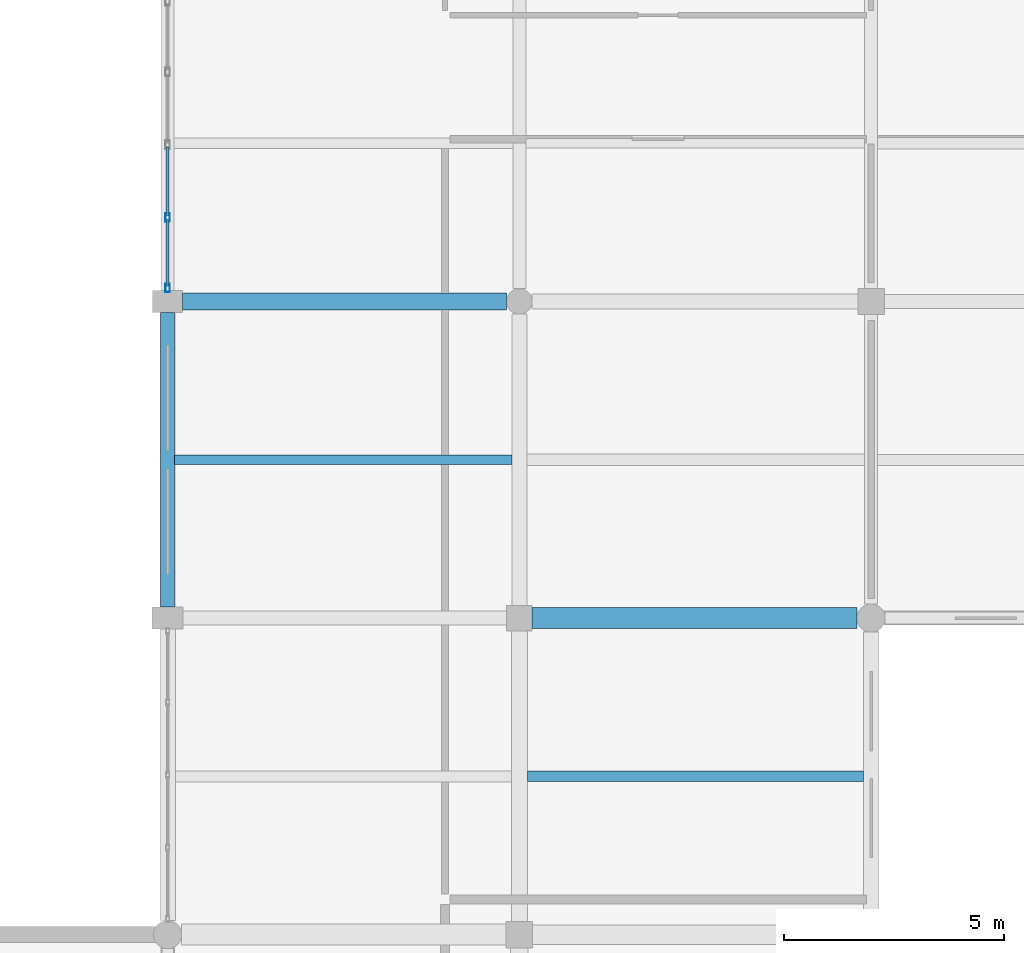
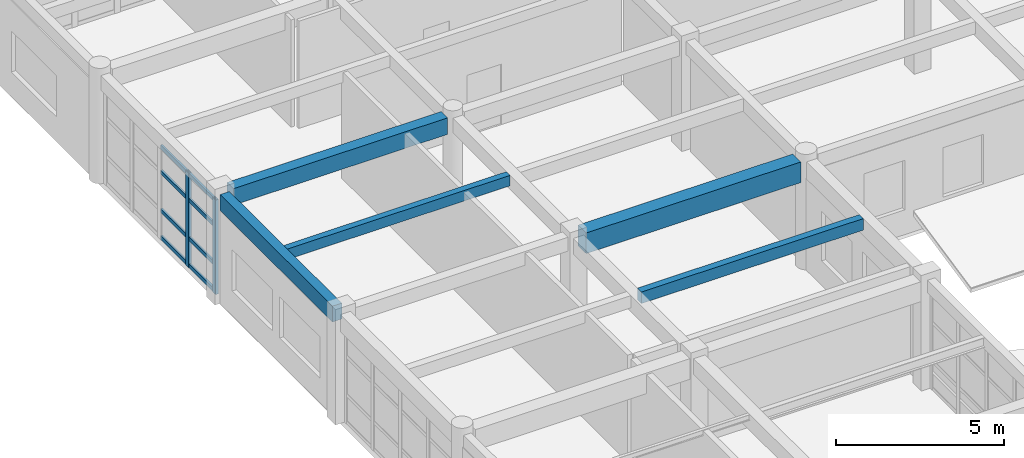
# One storey, part 55 of 121: 10 members, 5 beams, 1 element without a shape of its own.
"""IFC4 building model written with IfcOpenShell, lengths in metres."""

from ifc_helpers import new_model, si_unit, direction, frame, origin, origin_2d, place, context, subcontext, project, spatial, rectangle, hollow_rectangle, extrude, material, material_profile, profile_set, type_object, element, aggregate, save


model = new_model("IFC4")

# Units and contexts
model_context = context("Model", 3, precision=1e-05, world=origin(), true_north=direction((0.0, 1.0)))
body_context = subcontext(model_context, "Body", "Model", "MODEL_VIEW")
ifc_project = project(units=[si_unit("LENGTHUNIT", "METRE"), si_unit("AREAUNIT", "SQUARE_METRE"), si_unit("VOLUMEUNIT", "CUBIC_METRE"), si_unit("PLANEANGLEUNIT", "RADIAN"), si_unit("MASSUNIT", "GRAM", prefix="KILO")], contexts=[model_context])

# Site, building, storey
site_placement = place(None, origin())
site = spatial("IfcSite", under=ifc_project, at=site_placement, CompositionType="ELEMENT")
building_placement = place(site_placement, origin())
building = spatial("IfcBuilding", under=site, at=building_placement, Name="Kharva Crest Polytechnic", CompositionType="ELEMENT")
storey_placement = place(building_placement, frame((0.0, 0.0, 13.199951171875)))
storey = spatial("IfcBuildingStorey", under=building, at=storey_placement, Name="L03", CompositionType="ELEMENT", Elevation=13.199951171875)

# Beams
ifc_material_1 = material(Name="Concrete C35/45", Category="concrete")
ifc_material_profile_1 = material_profile(ifc_material_1, rectangle(XDim=0.3798828125, YDim=0.60009765625, at=origin_2d()), Name="RECT 380 X 600")
ifc_profile_set_1 = profile_set([ifc_material_profile_1], Name="Concrete C35/45")
beam_type_1 = type_object("IfcBeamType", Name="BM-RC-380X600", PredefinedType="BEAM", material=ifc_profile_set_1)
beam_1_placement = place(storey_placement, frame((32.340087890625, 107.60009765625, 3.66015625), z_axis=(1.0, 0.0, 0.0), x_axis=(0.0, 1.0, 0.0)))
element("IfcBeam", 1, at=beam_1_placement, inside=storey, type_object=beam_type_1, Name="L03 Beam Q/5-6", PredefinedType="BEAM", context=body_context, shape_type="SweptSolid", body=[
    extrude(rectangle(XDim=0.3798828125, YDim=0.60009765625, at=origin_2d()), origin(), (0.0, 0.0, 1.0), 7.369873046875),
])
ifc_material_profile_2 = material_profile(ifc_material_1, rectangle(XDim=0.47998046875, YDim=0.75, at=origin_2d()), Name="RECT 480 X 750")
ifc_profile_set_2 = profile_set([ifc_material_profile_2], Name="Concrete C35/45")
beam_type_2 = type_object("IfcBeamType", Name="BM-RC-480X750", PredefinedType="BEAM", material=ifc_profile_set_2)
beam_2_placement = place(storey_placement, frame((40.2900390625, 100.39990234375, 3.5849609375), z_axis=(1.0, 0.0, 0.0), x_axis=(0.0, 1.0, 0.0)))
element("IfcBeam", 2, at=beam_2_placement, inside=storey, type_object=beam_type_2, Name="L03 Beam P/6-7", PredefinedType="BEAM", context=body_context, shape_type="SweptSolid", body=[
    extrude(rectangle(XDim=0.47998046875, YDim=0.75, at=origin_2d()), origin(), (0.0, 0.0, 1.0), 7.389892578125),
])

# Curtain wall, members
ifc_material_2 = material(Name="Tempered insulated glass", Category="glass")
curtain_wall_type = type_object("IfcCurtainWallType", Name="CW-SYS-LIBRARY", PredefinedType="USERDEFINED", material=ifc_material_2)
curtain_wall_placement = place(storey_placement, origin())
curtain_wall = element("IfcCurtainWall", 3, at=curtain_wall_placement, inside=storey, type_object=curtain_wall_type, Name="L03 Glazed Curtain Wall CW-164", ObjectType="CURTAIN WALL", PredefinedType="USERDEFINED")
ifc_material_3 = material(Name="Steel S355", Category="steel")
ifc_material_profile_3 = material_profile(ifc_material_3, hollow_rectangle(XDim=0.10009765625, YDim=0.199951171875, WallThickness=0.00634765625, at=origin_2d()), Name="RHS 200X100X6.3")
ifc_profile_set_3 = profile_set([ifc_material_profile_3], Name="Steel S355")
member_type_1 = type_object("IfcMemberType", Name="CWM-RHS200X100", PredefinedType="MULLION", material=ifc_profile_set_3)
member_1_placement = place(storey_placement, frame((32.0, 109.510009765625, 0.0), z_axis=(0.0, 0.0, 1.0), x_axis=(1.0, 0.0, 0.0)))
member_1 = element("IfcMember", 4, at=member_1_placement, type_object=member_type_1, Name="CW-164 mullion 4", PredefinedType="MULLION", context=body_context, shape_type="SweptSolid", body=[
    extrude(hollow_rectangle(XDim=0.10009765625, YDim=0.199951171875, WallThickness=0.00634765625, at=origin_2d()), origin(), (0.0, 0.0, 1.0), 3.43994140625),
])
member_2_placement = place(storey_placement, frame((32.0, 107.905029296875, 0.0), z_axis=(0.0, 0.0, 1.0), x_axis=(1.0, 0.0, 0.0)))
member_2 = element("IfcMember", 5, at=member_2_placement, type_object=member_type_1, Name="CW-164 mullion 5", PredefinedType="MULLION", context=body_context, shape_type="SweptSolid", body=[
    extrude(hollow_rectangle(XDim=0.10009765625, YDim=0.199951171875, WallThickness=0.00634765625, at=origin_2d()), origin(), (0.0, 0.0, 1.0), 3.43994140625),
])
ifc_material_profile_4 = material_profile(ifc_material_3, hollow_rectangle(XDim=0.070068359375, YDim=0.139892578125, WallThickness=0.00390625, at=origin_2d()), Name="RHS 140X70X4.0")
ifc_profile_set_4 = profile_set([ifc_material_profile_4], Name="Steel S355")
member_type_2 = type_object("IfcMemberType", Name="CWT-RHS140X70", PredefinedType="USERDEFINED", material=ifc_profile_set_4)
member_3_placement = place(storey_placement, frame((32.0, 111.114990234375, 0.070068359375), z_axis=(0.0, -1.0, 0.0), x_axis=(1.0, 0.0, 0.0)))
member_3 = element("IfcMember", 6, at=member_3_placement, type_object=member_type_2, Name="CW-164 transom 3.1", ObjectType="TRANSOM", PredefinedType="USERDEFINED", context=body_context, shape_type="SweptSolid", body=[
    extrude(hollow_rectangle(XDim=0.070068359375, YDim=0.139892578125, WallThickness=0.00390625, at=origin_2d()), origin(), (0.0, 0.0, 1.0), 1.554931640625),
])
member_4_placement = place(storey_placement, frame((32.0, 111.114990234375, 1.050048828125), z_axis=(0.0, -1.0, 0.0), x_axis=(1.0, 0.0, 0.0)))
member_4 = element("IfcMember", 7, at=member_4_placement, type_object=member_type_2, Name="CW-164 transom 3.2", ObjectType="TRANSOM", PredefinedType="USERDEFINED", context=body_context, shape_type="SweptSolid", body=[
    extrude(hollow_rectangle(XDim=0.070068359375, YDim=0.139892578125, WallThickness=0.00390625, at=origin_2d()), origin(), (0.0, 0.0, 1.0), 1.554931640625),
])
member_5_placement = place(storey_placement, frame((32.0, 111.114990234375, 2.449951171875), z_axis=(0.0, -1.0, 0.0), x_axis=(1.0, 0.0, 0.0)))
member_5 = element("IfcMember", 8, at=member_5_placement, type_object=member_type_2, Name="CW-164 transom 3.3", ObjectType="TRANSOM", PredefinedType="USERDEFINED", context=body_context, shape_type="SweptSolid", body=[
    extrude(hollow_rectangle(XDim=0.070068359375, YDim=0.139892578125, WallThickness=0.00390625, at=origin_2d()), origin(), (0.0, 0.0, 1.0), 1.554931640625),
])
member_6_placement = place(storey_placement, frame((32.0, 111.114990234375, 3.3701171875), z_axis=(0.0, -1.0, 0.0), x_axis=(1.0, 0.0, 0.0)))
member_6 = element("IfcMember", 9, at=member_6_placement, type_object=member_type_2, Name="CW-164 transom 3.4", ObjectType="TRANSOM", PredefinedType="USERDEFINED", context=body_context, shape_type="SweptSolid", body=[
    extrude(hollow_rectangle(XDim=0.070068359375, YDim=0.139892578125, WallThickness=0.00390625, at=origin_2d()), origin(), (0.0, 0.0, 1.0), 1.554931640625),
])
member_7_placement = place(storey_placement, frame((32.0, 109.4599609375, 0.070068359375), z_axis=(0.0, -1.0, 0.0), x_axis=(1.0, 0.0, 0.0)))
member_7 = element("IfcMember", 10, at=member_7_placement, type_object=member_type_2, Name="CW-164 transom 4.1", ObjectType="TRANSOM", PredefinedType="USERDEFINED", context=body_context, shape_type="SweptSolid", body=[
    extrude(hollow_rectangle(XDim=0.070068359375, YDim=0.139892578125, WallThickness=0.00390625, at=origin_2d()), origin(), (0.0, 0.0, 1.0), 1.5048828125),
])
member_8_placement = place(storey_placement, frame((32.0, 109.4599609375, 1.050048828125), z_axis=(0.0, -1.0, 0.0), x_axis=(1.0, 0.0, 0.0)))
member_8 = element("IfcMember", 11, at=member_8_placement, type_object=member_type_2, Name="CW-164 transom 4.2", ObjectType="TRANSOM", PredefinedType="USERDEFINED", context=body_context, shape_type="SweptSolid", body=[
    extrude(hollow_rectangle(XDim=0.070068359375, YDim=0.139892578125, WallThickness=0.00390625, at=origin_2d()), origin(), (0.0, 0.0, 1.0), 1.5048828125),
])
member_9_placement = place(storey_placement, frame((32.0, 109.4599609375, 2.449951171875), z_axis=(0.0, -1.0, 0.0), x_axis=(1.0, 0.0, 0.0)))
member_9 = element("IfcMember", 12, at=member_9_placement, type_object=member_type_2, Name="CW-164 transom 4.3", ObjectType="TRANSOM", PredefinedType="USERDEFINED", context=body_context, shape_type="SweptSolid", body=[
    extrude(hollow_rectangle(XDim=0.070068359375, YDim=0.139892578125, WallThickness=0.00390625, at=origin_2d()), origin(), (0.0, 0.0, 1.0), 1.5048828125),
])
member_10_placement = place(storey_placement, frame((32.0, 109.4599609375, 3.3701171875), z_axis=(0.0, -1.0, 0.0), x_axis=(1.0, 0.0, 0.0)))
member_10 = element("IfcMember", 13, at=member_10_placement, type_object=member_type_2, Name="CW-164 transom 4.4", ObjectType="TRANSOM", PredefinedType="USERDEFINED", context=body_context, shape_type="SweptSolid", body=[
    extrude(hollow_rectangle(XDim=0.070068359375, YDim=0.139892578125, WallThickness=0.00390625, at=origin_2d()), origin(), (0.0, 0.0, 1.0), 1.5048828125),
])
aggregate(curtain_wall, [member_1, member_2, member_3, member_4, member_5, member_6, member_7, member_8, member_9, member_10])

# Beams
ifc_material_profile_5 = material_profile(ifc_material_1, rectangle(XDim=0.219970703125, YDim=0.3798828125, at=origin_2d()), Name="RECT 220 X 380")
ifc_profile_set_5 = profile_set([ifc_material_profile_5], Name="Concrete C35/45")
beam_type_3 = type_object("IfcBeamType", Name="JS-RC-220X380", PredefinedType="JOIST", material=ifc_profile_set_5)
beam_3_placement = place(storey_placement, frame((32.159912109375, 104.0, 3.77001953125), z_axis=(1.0, 0.0, 0.0), x_axis=(0.0, 1.0, 0.0)))
element("IfcBeam", 14, at=beam_3_placement, inside=storey, type_object=beam_type_3, Name="L03 Floor Joist 15", PredefinedType="JOIST", context=body_context, shape_type="SweptSolid", body=[
    extrude(rectangle(XDim=0.219970703125, YDim=0.3798828125, at=origin_2d()), origin(), (0.0, 0.0, 1.0), 7.670166015625),
])
ifc_material_profile_6 = material_profile(ifc_material_1, rectangle(XDim=0.239990234375, YDim=0.419921875, at=origin_2d()), Name="RECT 240 X 420")
ifc_profile_set_6 = profile_set([ifc_material_profile_6], Name="Concrete C35/45")
beam_type_4 = type_object("IfcBeamType", Name="JS-RC-240X420", PredefinedType="JOIST", material=ifc_profile_set_6)
beam_4_placement = place(storey_placement, frame((40.179931640625, 96.800048828125, 3.75), z_axis=(1.0, 0.0, 0.0), x_axis=(0.0, 1.0, 0.0)))
element("IfcBeam", 15, at=beam_4_placement, inside=storey, type_object=beam_type_4, Name="L03 Floor Joist 14", PredefinedType="JOIST", context=body_context, shape_type="SweptSolid", body=[
    extrude(rectangle(XDim=0.239990234375, YDim=0.419921875, at=origin_2d()), origin(), (0.0, 0.0, 1.0), 7.64501953125),
])
ifc_material_profile_7 = material_profile(ifc_material_1, rectangle(XDim=0.320068359375, YDim=0.580078125, at=origin_2d()), Name="RECT 320 X 580")
ifc_profile_set_7 = profile_set([ifc_material_profile_7], Name="Concrete C35/45")
beam_type_5 = type_object("IfcBeamType", Name="SP-RC-320X580", PredefinedType="SPANDREL", material=ifc_profile_set_7)
beam_5_placement = place(storey_placement, frame((32.0, 100.64990234375, 3.670166015625), z_axis=(0.0, 1.0, 0.0), x_axis=(-1.0, 0.0, 0.0)))
element("IfcBeam", 16, at=beam_5_placement, inside=storey, type_object=beam_type_5, Name="L03 Girder 5/P-Q", PredefinedType="SPANDREL", context=body_context, shape_type="SweptSolid", body=[
    extrude(rectangle(XDim=0.320068359375, YDim=0.580078125, at=origin_2d()), origin(), (0.0, 0.0, 1.0), 6.7001953125),
])

save(model, "model.ifc")
